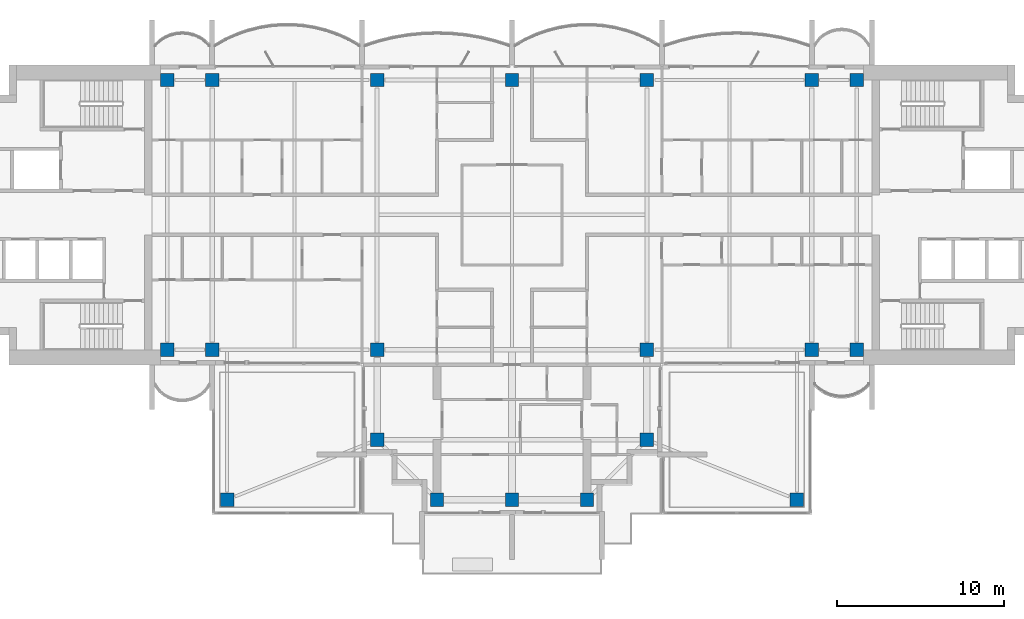
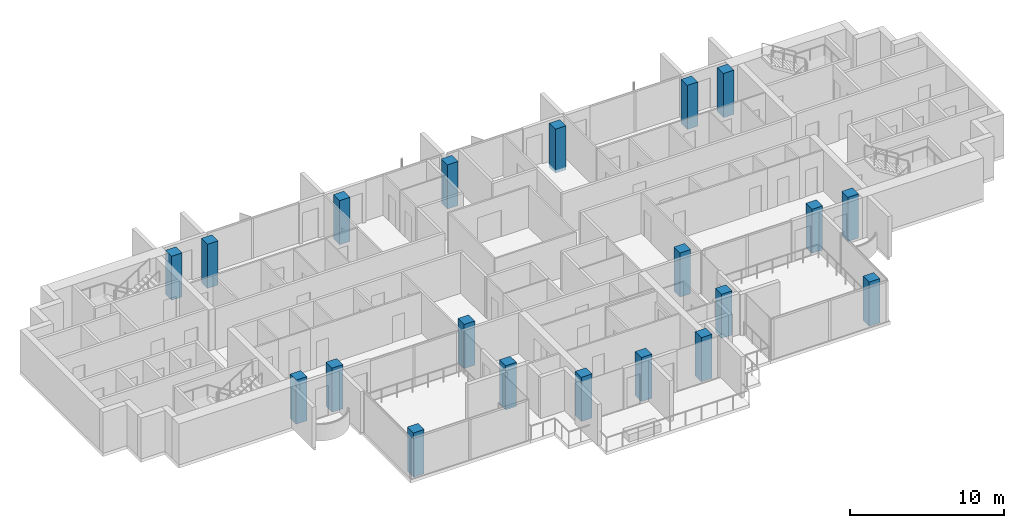
# One storey, part 1 of 16: 20 columns.
"""IFC4 building model written with IfcOpenShell, lengths in metres."""

import ifcopenshell
import ifcopenshell.guid

model = None  # the IFC model being written
_history = None  # IfcOwnerHistory: only IFC2X3 demands one
_inside = {}  # id of a spatial element -> (the spatial element, [elements in it])
_under = {}  # id of a project, library or spatial element -> (it, [spatial elements below it])
_declared = {}  # id of a project -> (the project, [libraries it declares])
_typed = {}  # id of a type object -> (the type object, [elements of that type])
_made_of = {}  # id of a material, layer set ... -> (it, [elements and type objects made of it])


def new_model(schema):
    """Start an empty IFC model of exactly this schema.

    Asked for "IFC4X3", IfcOpenShell would pick the latest addendum, in which some entities
    have other attributes; the version numbers below select the first issue.
    IFC2X3 requires an IfcOwnerHistory on every rooted entity: one is made here for all.
    """
    global model, _history
    if schema == "IFC4X3":
        model = ifcopenshell.file(schema_version=(4, 3, 0, 0))
    else:
        model = ifcopenshell.file(schema=schema)
    _inside.clear()
    _under.clear()
    _declared.clear()
    _typed.clear()
    _made_of.clear()
    _history = None
    if model.schema == "IFC2X3":
        org = make("IfcOrganization", Name="unknown")
        user = make(
            "IfcPersonAndOrganization",
            ThePerson=make("IfcPerson", FamilyName="unknown"),
            TheOrganization=org,
        )
        app = make(
            "IfcApplication",
            ApplicationDeveloper=org,
            Version="unknown",
            ApplicationFullName="unknown",
            ApplicationIdentifier="unknown",
        )
        _history = make(
            "IfcOwnerHistory",
            OwningUser=user,
            OwningApplication=app,
            ChangeAction="ADDED",
            CreationDate=0,
        )
    return model


def make(cls, **values):
    """One entity of the class cls with the attributes given. An attribute that is None is left unset."""
    return model.create_entity(
        cls, **{name: value for name, value in values.items() if value is not None}
    )


def rooted(cls, **values):
    """An entity with a GlobalId (a new one), such as an element, a storey or a relation."""
    return make(cls, GlobalId=ifcopenshell.guid.new(), OwnerHistory=_history, **values)


def si_unit(unit_type, name, prefix=None):
    """IfcSIUnit, for example si_unit("LENGTHUNIT", "METRE", prefix="MILLI")."""
    return make("IfcSIUnit", UnitType=unit_type, Prefix=prefix, Name=name)


def assignment(units):
    """IfcUnitAssignment: the units of a project."""
    return None if units is None else make("IfcUnitAssignment", Units=units)


def point(xyz):
    """IfcCartesianPoint."""
    return None if xyz is None else make("IfcCartesianPoint", Coordinates=xyz)


def direction(xyz):
    """IfcDirection."""
    return None if xyz is None else make("IfcDirection", DirectionRatios=xyz)


def frame(location, z_axis=None, x_axis=None):
    """IfcAxis2Placement3D, a coordinate frame: its origin and axes. An axis left out is left unset."""
    return make(
        "IfcAxis2Placement3D",
        Location=point(location),
        Axis=direction(z_axis),
        RefDirection=direction(x_axis),
    )


def frame_2d(location, x_axis=None):
    """IfcAxis2Placement2D, a coordinate frame in the plane: its origin and x axis."""
    return make(
        "IfcAxis2Placement2D", Location=point(location), RefDirection=direction(x_axis)
    )


def origin():
    """The frame at (0, 0, 0) with its axes left unset."""
    return frame((0.0, 0.0, 0.0))


def origin_2d():
    """The frame at (0, 0) in the plane with its x axis left unset."""
    return frame_2d((0.0, 0.0))


def place(relative_to, where):
    """IfcLocalPlacement: puts the frame where relative to a parent placement (None: the world)."""
    return make(
        "IfcLocalPlacement", PlacementRelTo=relative_to, RelativePlacement=where
    )


def context(
    kind, dimensions, precision=None, world=None, true_north=None, identifier=None
):
    """IfcGeometricRepresentationContext, for example the 3D "Model" context."""
    return make(
        "IfcGeometricRepresentationContext",
        ContextIdentifier=identifier,
        ContextType=kind,
        CoordinateSpaceDimension=dimensions,
        Precision=precision,
        WorldCoordinateSystem=world,
        TrueNorth=true_north,
    )


def subcontext(parent, identifier, kind, view, scale=None):
    """IfcGeometricRepresentationSubContext, for example "Body" below "Model"."""
    return make(
        "IfcGeometricRepresentationSubContext",
        ContextIdentifier=identifier,
        ContextType=kind,
        ParentContext=parent,
        TargetScale=scale,
        TargetView=view,
    )


def project(units=None, contexts=None):
    """IfcProject with its units and contexts."""
    return rooted(
        "IfcProject",
        Name="project",
        RepresentationContexts=contexts,
        UnitsInContext=assignment(units),
    )


def spatial(cls, under=None, at=None, **own):
    """A site, building, storey or space (cls), placed at a placement, below another one or the project."""
    s = rooted(cls, ObjectPlacement=at, **own)
    if under is not None:
        _under.setdefault(under.id(), (under, []))[1].append(s)
    return s


def profile(cls, at=None, kind="AREA", **sizes):
    """A parametric profile (cls). Its sizes go by their IFC names, for example OverallWidth=200.0."""
    return make(cls, ProfileType=kind, Position=at, **sizes)


def rectangle(**sizes):
    """IfcRectangleProfileDef."""
    return profile("IfcRectangleProfileDef", **sizes)


def extrude(swept, where, along, depth):
    """IfcExtrudedAreaSolid: the profile swept, set in the frame where, extruded along a direction by depth."""
    return make(
        "IfcExtrudedAreaSolid",
        SweptArea=swept,
        Position=where,
        ExtrudedDirection=direction(along),
        Depth=depth,
    )


def shape(context_of_items, identifier, shape_type, items):
    """IfcShapeRepresentation: the items that make up one representation, for example the "Body"."""
    return make(
        "IfcShapeRepresentation",
        ContextOfItems=context_of_items,
        RepresentationIdentifier=identifier,
        RepresentationType=shape_type,
        Items=items,
    )


def material(Name=None, Category=None):
    """IfcMaterial."""
    return make("IfcMaterial", Name=Name, Category=Category)


def material_profile(
    of_material, cross_section, Name=None, Category=None, Priority=None
):
    """IfcMaterialProfile: a cross section and its material."""
    return make(
        "IfcMaterialProfile",
        Name=Name,
        Material=of_material,
        Profile=cross_section,
        Priority=Priority,
        Category=Category,
    )


def profile_set(profiles, Name=None, composite=None):
    """IfcMaterialProfileSet."""
    return make(
        "IfcMaterialProfileSet",
        Name=Name,
        MaterialProfiles=profiles,
        CompositeProfile=composite,
    )


def made_of(thing, what):
    """Note that an element or type object is made of a material, layer set ...; save() writes the relation."""
    if what is not None:
        _made_of.setdefault(what.id(), (what, []))[1].append(thing)
    return thing


def type_object(cls, material=None, **own):
    """A type object (cls), such as IfcWallType, which elements share."""
    return made_of(rooted(cls, **own), material)


def element(
    cls,
    number,
    at=None,
    inside=None,
    cuts=None,
    type_object=None,
    material=None,
    context=None,
    identifier="Body",
    shape_type=None,
    held_by="IfcProductDefinitionShape",
    body=None,
    shapes=None,
    **own,
):
    """One element of the class cls, such as IfcWall. Its Tag is "e" and its number.

    at: its placement. inside: the storey or other place that contains it. cuts: it is an
    opening in that element (IfcRelVoidsElement). A single representation is given by context,
    identifier, shape_type and body (its items); several are given by shapes. held_by: the class
    of the entity that holds the representations. save() writes the other relations.
    """
    e = rooted(cls, Tag="e%d" % number, ObjectPlacement=at, **own)
    if body is not None:
        shapes = [shape(context, identifier, shape_type, body)]
    if shapes is not None:
        e.Representation = make(held_by, Representations=shapes)
    if inside is not None:
        _inside.setdefault(inside.id(), (inside, []))[1].append(e)
    if cuts is not None:
        rooted(
            "IfcRelVoidsElement", RelatingBuildingElement=cuts, RelatedOpeningElement=e
        )
    if type_object is not None:
        _typed.setdefault(type_object.id(), (type_object, []))[1].append(e)
    return made_of(e, material)


def aggregate(whole, parts):
    """IfcRelAggregates: a whole, such as a stair, and the parts it consists of."""
    return rooted("IfcRelAggregates", RelatingObject=whole, RelatedObjects=parts)


def save(model, path):
    """Write the relations noted so far, then the file.

    IfcRelAggregates (storeys below a building ...), IfcRelContainedInSpatialStructure (elements
    in a storey), IfcRelDefinesByType, IfcRelAssociatesMaterial and IfcRelDeclares: one each for
    every whole, place, type object, material and project.
    """
    for whole, parts in _under.values():
        aggregate(whole, parts)
    for where, things in _inside.values():
        rooted(
            "IfcRelContainedInSpatialStructure",
            RelatedElements=things,
            RelatingStructure=where,
        )
    for kind, things in _typed.values():
        rooted("IfcRelDefinesByType", RelatedObjects=things, RelatingType=kind)
    for what, things in _made_of.values():
        rooted("IfcRelAssociatesMaterial", RelatedObjects=things, RelatingMaterial=what)
    for by, libraries in _declared.values():
        rooted("IfcRelDeclares", RelatingContext=by, RelatedDefinitions=libraries)
    model.write(path)


model = new_model("IFC4")

# Units and contexts
model_context = context("Model", 3, precision=1e-05, world=origin(), true_north=direction((0.0, 1.0)))
body_context = subcontext(model_context, "Body", "Model", "MODEL_VIEW")
ifc_project = project(units=[si_unit("LENGTHUNIT", "METRE"), si_unit("AREAUNIT", "SQUARE_METRE"), si_unit("VOLUMEUNIT", "CUBIC_METRE"), si_unit("PLANEANGLEUNIT", "RADIAN"), si_unit("MASSUNIT", "GRAM", prefix="KILO")], contexts=[model_context])

# Site, building, storey
site_placement = place(None, origin())
site = spatial("IfcSite", under=ifc_project, at=site_placement, CompositionType="ELEMENT")
building_placement = place(site_placement, origin())
building = spatial("IfcBuilding", under=site, at=building_placement, Name="Perihelion Cross Residences", CompositionType="ELEMENT")
storey_placement = place(building_placement, frame((0.0, 0.0, 232.5)))
storey = spatial("IfcBuildingStorey", under=building, at=storey_placement, Name="L58", CompositionType="ELEMENT", Elevation=232.5)

# Columns
ifc_material = material(Name="Concrete C50/60", Category="concrete")
ifc_material_profile = material_profile(ifc_material, rectangle(XDim=0.800048828125, YDim=0.800048828125, at=origin_2d()), Name="RC 800x800")
ifc_profile_set = profile_set([ifc_material_profile], Name="Concrete C50/60")
column_type = type_object("IfcColumnType", Name="Reinforced concrete column 800x800 C50/60", PredefinedType="COLUMN", material=ifc_profile_set)
for number, where, z_axis, x_axis, name in (
    (1, (-20.699951171875, -8.10009765625, -0.25), (0.0, 0.0, 1.0), (1.0, 0.0, 0.0), "Column C017 L58 no. 1"),
    (2, (-20.699951171875, 8.10009765625, -0.25), (0.0, 0.0, 1.0), (1.0, 0.0, 0.0), "Column C010 L58 no. 1"),
    (3, (-18.0, -8.10009765625, -0.25), (0.0, 0.0, 1.0), (1.0, 0.0, 0.0), "Column C018 L58 no. 1"),
    (4, (-18.0, 8.10009765625, -0.25), (0.0, 0.0, 1.0), (1.0, 0.0, 0.0), "Column C011 L58 no. 1"),
    (5, (-8.10009765625, -13.5, -0.25), (0.0, 0.0, 1.0), (1.0, 0.0, 0.0), "Column C025 L58 no. 1"),
    (6, (-8.10009765625, -8.10009765625, -0.25), (0.0, 0.0, 1.0), (1.0, 0.0, 0.0), "Column C019 L58 no. 1"),
    (7, (-8.10009765625, 8.10009765625, -0.25), (0.0, 0.0, 1.0), (1.0, 0.0, 0.0), "Column C012 L58 no. 1"),
    (8, (-4.5, -17.10009765625, -0.25), (0.0, 0.0, 1.0), (1.0, 0.0, 0.0), "Column C032 L58 no. 1"),
    (9, (0.0, -17.10009765625, -0.25), (0.0, 0.0, 1.0), (1.0, 0.0, 0.0), "Column C033 L58 no. 1"),
    (10, (0.0, 8.10009765625, -0.25), (0.0, 0.0, 1.0), (1.0, 0.0, 0.0), "Column C013 L58 no. 1"),
    (11, (4.5, -17.10009765625, -0.25), (0.0, 0.0, 1.0), (1.0, 0.0, 0.0), "Column C034 L58 no. 1"),
    (12, (8.10009765625, -13.5, -0.25), (0.0, 0.0, 1.0), (1.0, 0.0, 0.0), "Column C029 L58 no. 1"),
    (13, (8.10009765625, -8.10009765625, -0.25), (0.0, 0.0, 1.0), (1.0, 0.0, 0.0), "Column C020 L58 no. 1"),
    (14, (8.10009765625, 8.10009765625, -0.25), (0.0, 0.0, 1.0), (1.0, 0.0, 0.0), "Column C014 L58 no. 1"),
    (15, (18.0, -8.10009765625, -0.25), (0.0, 0.0, 1.0), (1.0, 0.0, 0.0), "Column C021 L58 no. 1"),
    (16, (18.0, 8.10009765625, -0.25), (0.0, 0.0, 1.0), (1.0, 0.0, 0.0), "Column C015 L58 no. 1"),
    (17, (20.699951171875, -8.10009765625, -0.25), (0.0, 0.0, 1.0), (1.0, 0.0, 0.0), "Column C022 L58 no. 1"),
    (18, (20.699951171875, 8.10009765625, -0.25), (0.0, 0.0, 1.0), (1.0, 0.0, 0.0), "Column C016 L58 no. 1"),
    (19, (-17.10009765625, -17.10009765625, -0.25), (0.0, 0.0, 1.0), (1.0, 0.0, 0.0), "Column C030 L58 no. 1"),
    (20, (17.10009765625, -17.10009765625, -0.25), (0.0, 0.0, 1.0), (1.0, 0.0, 0.0), "Column C036 L58 no. 1"),
):
    element("IfcColumn", number, at=place(storey_placement, frame(where, z_axis=z_axis, x_axis=x_axis)), inside=storey, type_object=column_type, Name=name, PredefinedType="COLUMN", context=body_context, shape_type="SweptSolid", body=[
        extrude(rectangle(XDim=0.800048828125, YDim=0.800048828125, at=origin_2d()), origin(), (0.0, 0.0, 1.0), 3.5),
    ])

save(model, "model.ifc")
